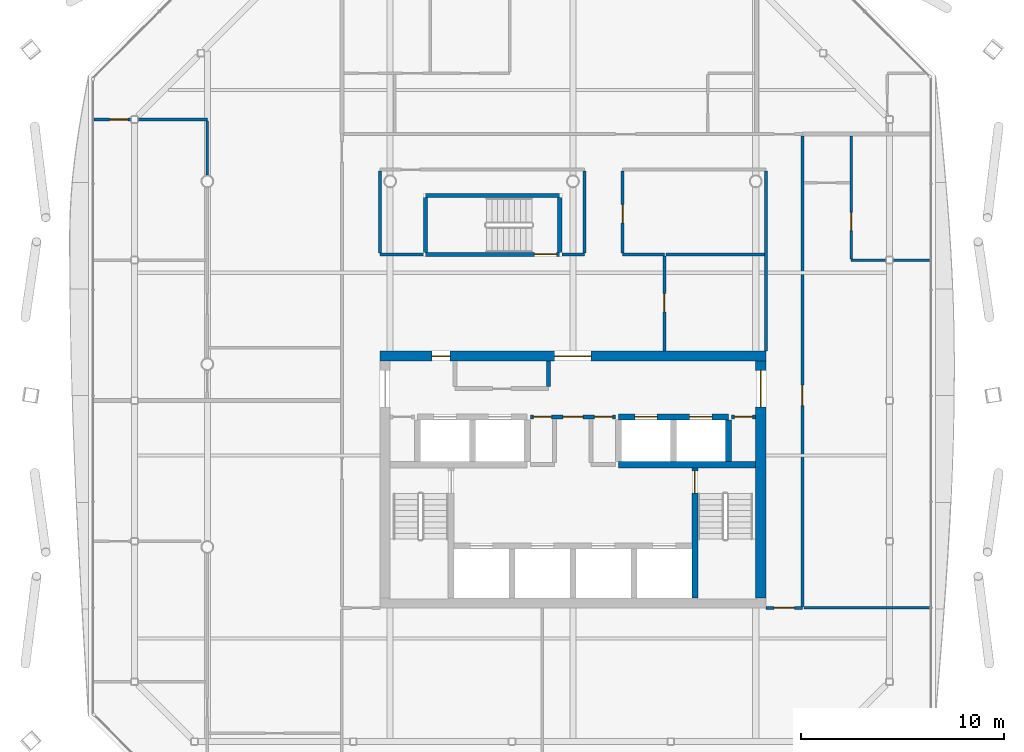
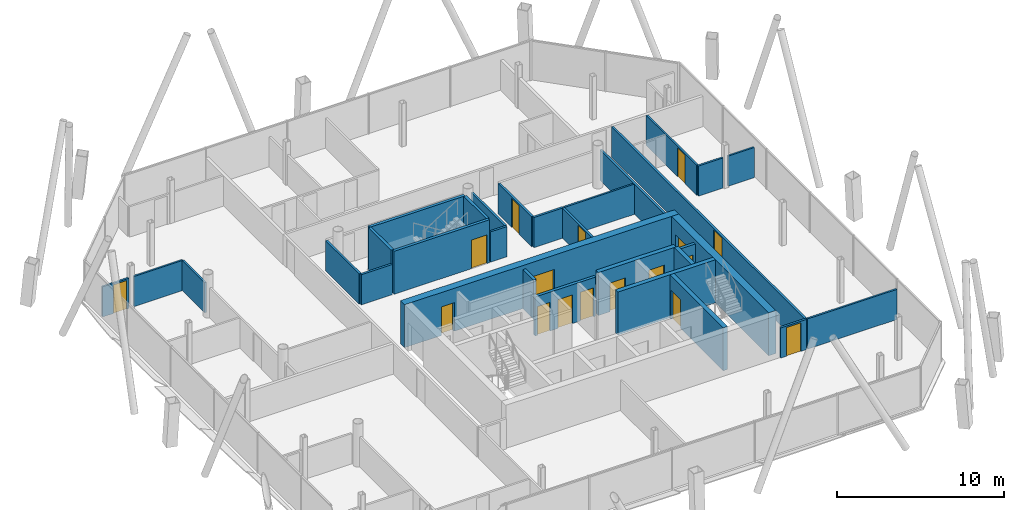
# One storey, part 15 of 20: 31 walls, 17 doors, 17 openings.
"""IFC4 building model written with IfcOpenShell, lengths in metres."""

from ifc_helpers import new_model, si_unit, direction, frame, frame_2d, origin, place, context, subcontext, project, spatial, rectangle, extrude, material, layer, layer_set, type_object, element, fill, save


model = new_model("IFC4")

# Units and contexts
model_context = context("Model", 3, precision=1e-05, world=origin(), true_north=direction((0.0, 1.0)))
body_context = subcontext(model_context, "Body", "Model", "MODEL_VIEW")
ifc_project = project(units=[si_unit("LENGTHUNIT", "METRE"), si_unit("AREAUNIT", "SQUARE_METRE"), si_unit("VOLUMEUNIT", "CUBIC_METRE"), si_unit("PLANEANGLEUNIT", "RADIAN"), si_unit("MASSUNIT", "GRAM", prefix="KILO")], contexts=[model_context])

# Site, building, storey
site_placement = place(None, origin())
site = spatial("IfcSite", under=ifc_project, at=site_placement, CompositionType="ELEMENT")
building_placement = place(site_placement, origin())
building = spatial("IfcBuilding", under=site, at=building_placement, Name="Tskaro Facet Tower", CompositionType="ELEMENT")
storey_placement = place(building_placement, frame((0.0, 0.0, 181.64990234375)))
storey = spatial("IfcBuildingStorey", under=building, at=storey_placement, Name="L45", CompositionType="ELEMENT", Elevation=181.64990234375)

# Wall
ifc_material_1 = material(Name="Concrete C60/75", Category="concrete")
ifc_layer_1 = layer(ifc_material_1, 0.300048828125, Name="Concrete C60/75")
ifc_layer_set_1 = layer_set([ifc_layer_1], Name="Concrete C60/75")
wall_type_1 = type_object("IfcWallType", Name="CORE-SHAFT", PredefinedType="SHEAR", material=ifc_layer_set_1)
wall_1_placement = place(storey_placement, frame((2.25, -4.949951171875, 0.0), z_axis=(0.0, 0.0, 1.0), x_axis=(1.0, 0.0, 0.0)))
element("IfcWall", 1, at=wall_1_placement, inside=storey, type_object=wall_type_1, Name="Shaft wall W013", PredefinedType="SHEAR", context=body_context, shape_type="SweptSolid", body=[
    extrude(rectangle(XDim=6.75, YDim=0.300048828125, at=frame_2d((3.375, 0.0))), origin(), (0.0, 0.0, 1.0), 3.150146484375),
])

# Wall, openings, doors
wall_2_placement = place(storey_placement, frame((2.25, -2.60009765625, 0.0), z_axis=(0.0, 0.0, 1.0), x_axis=(1.0, 0.0, 0.0)))
wall_2 = element("IfcWall", 2, at=wall_2_placement, inside=storey, type_object=wall_type_1, Name="Shaft wall W017", PredefinedType="SHEAR", context=body_context, shape_type="SweptSolid", body=[
    extrude(rectangle(XDim=5.39990234375, YDim=0.300048828125, at=frame_2d((2.699951171875, 0.0))), origin(), (0.0, 0.0, 1.0), 3.150146484375),
])
opening_1_placement = place(wall_2_placement, frame((0.800048828125, 0.0, 0.0)))
opening_1 = element("IfcOpeningElement", 3, at=opening_1_placement, cuts=wall_2, Name="Opening LD-HB3", PredefinedType="OPENING", context=body_context, shape_type="SweptSolid", body=[
    extrude(rectangle(XDim=1.10009765625, YDim=2.10009765625, at=frame_2d((0.550048828125, 1.050048828125))), frame((0.0, 0.159912109375, 0.0), z_axis=(0.0, -1.0, 0.0), x_axis=(1.0, 0.0, 0.0)), (0.0, 0.0, 1.0), 0.320068359375),
])
opening_2_placement = place(wall_2_placement, frame((3.5, 0.0, 0.0)))
opening_2 = element("IfcOpeningElement", 4, at=opening_2_placement, cuts=wall_2, Name="Opening LD-HB4", PredefinedType="OPENING", context=body_context, shape_type="SweptSolid", body=[
    extrude(rectangle(XDim=1.10009765625, YDim=2.10009765625, at=frame_2d((0.550048828125, 1.050048828125))), frame((0.0, 0.159912109375, 0.0), z_axis=(0.0, -1.0, 0.0), x_axis=(1.0, 0.0, 0.0)), (0.0, 0.0, 1.0), 0.320068359375),
])
ifc_material_2 = material(Name="Stainless steel", Category="steel")
door_type_1 = type_object("IfcDoorType", Name="D-LANDING", OperationType="NOTDEFINED", PredefinedType="DOOR", material=ifc_material_2)
door_1_placement = place(opening_1_placement, origin())
door_1 = element("IfcDoor", 5, at=door_1_placement, inside=storey, type_object=door_type_1, Name="Landing door HB3", OperationType="DOUBLE_DOOR_SLIDING", OverallHeight=2.10009765625, OverallWidth=1.10009765625, PredefinedType="DOOR", context=body_context, shape_type="SweptSolid", body=[
    extrude(rectangle(XDim=1.10009765625, YDim=2.10009765625, at=frame_2d((0.550048828125, 1.050048828125))), frame((0.0, 0.02490234375, 0.0), z_axis=(0.0, -1.0, 0.0), x_axis=(1.0, 0.0, 0.0)), (0.0, 0.0, 1.0), 0.050048828125),
])
fill(opening_1, door_1)
door_2_placement = place(opening_2_placement, origin())
door_2 = element("IfcDoor", 6, at=door_2_placement, inside=storey, type_object=door_type_1, Name="Landing door HB4", OperationType="DOUBLE_DOOR_SLIDING", OverallHeight=2.10009765625, OverallWidth=1.10009765625, PredefinedType="DOOR", context=body_context, shape_type="SweptSolid", body=[
    extrude(rectangle(XDim=1.10009765625, YDim=2.10009765625, at=frame_2d((0.550048828125, 1.050048828125))), frame((0.0, 0.02490234375, 0.0), z_axis=(0.0, -1.0, 0.0), x_axis=(1.0, 0.0, 0.0)), (0.0, 0.0, 1.0), 0.050048828125),
])
fill(opening_2, door_2)

# Wall, opening, door
wall_3_placement = place(storey_placement, frame((6.0, -5.10009765625, 0.0), z_axis=(0.0, 0.0, 1.0), x_axis=(0.0, -1.0, 0.0)))
wall_3 = element("IfcWall", 7, at=wall_3_placement, inside=storey, type_object=wall_type_1, Name="Shaft wall W077", PredefinedType="SHEAR", context=body_context, shape_type="SweptSolid", body=[
    extrude(rectangle(XDim=6.39990234375, YDim=0.300048828125, at=frame_2d((3.199951171875, 0.0))), origin(), (0.0, 0.0, 1.0), 3.150146484375),
])
opening_3_placement = place(wall_3_placement, frame((0.14990234375, 0.0, 0.0)))
opening_3 = element("IfcOpeningElement", 8, at=opening_3_placement, cuts=wall_3, Name="Opening ST-2-D1", PredefinedType="OPENING", context=body_context, shape_type="SweptSolid", body=[
    extrude(rectangle(XDim=1.10009765625, YDim=2.10009765625, at=frame_2d((0.550048828125, 1.050048828125))), frame((0.0, 0.159912109375, 0.0), z_axis=(0.0, -1.0, 0.0), x_axis=(1.0, 0.0, 0.0)), (0.0, 0.0, 1.0), 0.320068359375),
])
ifc_material_3 = material(Name="Steel", Category="steel")
door_type_2 = type_object("IfcDoorType", Name="D-STAIR", OperationType="NOTDEFINED", PredefinedType="DOOR", material=ifc_material_3)
door_3_placement = place(opening_3_placement, origin())
door_3 = element("IfcDoor", 9, at=door_3_placement, inside=storey, type_object=door_type_2, Name="Stair door 2", OperationType="SINGLE_SWING_RIGHT", OverallHeight=2.10009765625, OverallWidth=1.10009765625, PredefinedType="DOOR", context=body_context, shape_type="SweptSolid", body=[
    extrude(rectangle(XDim=1.10009765625, YDim=2.10009765625, at=frame_2d((0.550048828125, 1.050048828125))), frame((0.0, 0.02490234375, 0.0), z_axis=(0.0, -1.0, 0.0), x_axis=(1.0, 0.0, 0.0)), (0.0, 0.0, 1.0), 0.050048828125),
])
fill(opening_3, door_3)

# Wall
wall_4_placement = place(storey_placement, frame((7.64990234375, -4.800048828125, 0.0), z_axis=(0.0, 0.0, 1.0), x_axis=(0.0, 1.0, 0.0)))
element("IfcWall", 10, at=wall_4_placement, inside=storey, type_object=wall_type_1, Name="Shaft wall W079", PredefinedType="SHEAR", context=body_context, shape_type="SweptSolid", body=[
    extrude(rectangle(XDim=2.050048828125, YDim=0.300048828125, at=frame_2d((1.02490234375, 0.0))), origin(), (0.0, 0.0, 1.0), 3.150146484375),
])

# Wall, openings, doors
ifc_material_4 = material(Name="Concrete C20/25", Category="concrete")
ifc_layer_2 = layer(ifc_material_4, 0.199951171875, Name="Concrete C20/25")
ifc_layer_set_2 = layer_set([ifc_layer_2], Name="Concrete C20/25")
wall_type_2 = type_object("IfcWallType", Name="CORE-WALL", PredefinedType="SOLIDWALL", material=ifc_layer_set_2)
wall_5_placement = place(storey_placement, frame((2.10009765625, -2.60009765625, 0.0), z_axis=(0.0, 0.0, 1.0), x_axis=(-1.0, 0.0, 0.0)))
wall_5 = element("IfcWall", 11, at=wall_5_placement, inside=storey, type_object=wall_type_2, Name="Core room wall W016", PredefinedType="SOLIDWALL", context=body_context, shape_type="SweptSolid", body=[
    extrude(rectangle(XDim=4.2001953125, YDim=0.199951171875, at=frame_2d((2.10009765625, 0.0))), origin(), (0.0, 0.0, 1.0), 2.85009765625),
])
opening_4_placement = place(wall_5_placement, frame((1.60009765625, 0.0, 0.0)))
opening_4 = element("IfcOpeningElement", 12, at=opening_4_placement, cuts=wall_5, Name="Opening FL-D1", PredefinedType="OPENING", context=body_context, shape_type="SweptSolid", body=[
    extrude(rectangle(XDim=1.0, YDim=2.10009765625, at=frame_2d((0.5, 1.050048828125))), frame((0.0, 0.10986328125, 0.0), z_axis=(0.0, -1.0, 0.0), x_axis=(1.0, 0.0, 0.0)), (0.0, 0.0, 1.0), 0.219970703125),
])
opening_5_placement = place(wall_5_placement, frame((3.14990234375, 0.0, 0.0)))
opening_5 = element("IfcOpeningElement", 13, at=opening_5_placement, cuts=wall_5, Name="Opening T13-D08", PredefinedType="OPENING", context=body_context, shape_type="SweptSolid", body=[
    extrude(rectangle(XDim=0.89990234375, YDim=2.10009765625, at=frame_2d((0.449951171875, 1.050048828125))), frame((0.0, 0.10986328125, 0.0), z_axis=(0.0, -1.0, 0.0), x_axis=(1.0, 0.0, 0.0)), (0.0, 0.0, 1.0), 0.219970703125),
])
opening_6_placement = place(wall_5_placement, frame((0.14990234375, 0.0, 0.0)))
opening_6 = element("IfcOpeningElement", 14, at=opening_6_placement, cuts=wall_5, Name="Opening T13-D09", PredefinedType="OPENING", context=body_context, shape_type="SweptSolid", body=[
    extrude(rectangle(XDim=0.89990234375, YDim=2.10009765625, at=frame_2d((0.449951171875, 1.050048828125))), frame((0.0, 0.10986328125, 0.0), z_axis=(0.0, -1.0, 0.0), x_axis=(1.0, 0.0, 0.0)), (0.0, 0.0, 1.0), 0.219970703125),
])
door_type_3 = type_object("IfcDoorType", Name="D-LOBBY", OperationType="NOTDEFINED", PredefinedType="DOOR", material=ifc_material_3)
door_4_placement = place(opening_4_placement, origin())
door_4 = element("IfcDoor", 15, at=door_4_placement, inside=storey, type_object=door_type_3, Name="Lobby door FL", OperationType="SINGLE_SWING_RIGHT", OverallHeight=2.10009765625, OverallWidth=1.0, PredefinedType="DOOR", context=body_context, shape_type="SweptSolid", body=[
    extrude(rectangle(XDim=1.0, YDim=2.10009765625, at=frame_2d((0.5, 1.050048828125))), frame((0.0, 0.02490234375, 0.0), z_axis=(0.0, -1.0, 0.0), x_axis=(1.0, 0.0, 0.0)), (0.0, 0.0, 1.0), 0.050048828125),
])
fill(opening_4, door_4)
ifc_material_5 = material(Name="Timber", Category="wood")
door_type_4 = type_object("IfcDoorType", Name="D-ROOM", OperationType="NOTDEFINED", PredefinedType="DOOR", material=ifc_material_5)
door_5_placement = place(opening_5_placement, origin())
door_5 = element("IfcDoor", 16, at=door_5_placement, inside=storey, type_object=door_type_4, Name="Door T13-D08", OperationType="SINGLE_SWING_RIGHT", OverallHeight=2.10009765625, OverallWidth=0.89990234375, PredefinedType="DOOR", context=body_context, shape_type="SweptSolid", body=[
    extrude(rectangle(XDim=0.89990234375, YDim=2.10009765625, at=frame_2d((0.449951171875, 1.050048828125))), frame((0.0, 0.02490234375, 0.0), z_axis=(0.0, -1.0, 0.0), x_axis=(1.0, 0.0, 0.0)), (0.0, 0.0, 1.0), 0.050048828125),
])
fill(opening_5, door_5)
door_6_placement = place(opening_6_placement, origin())
door_6 = element("IfcDoor", 17, at=door_6_placement, inside=storey, type_object=door_type_4, Name="Door T13-D09", OperationType="SINGLE_SWING_RIGHT", OverallHeight=2.10009765625, OverallWidth=0.89990234375, PredefinedType="DOOR", context=body_context, shape_type="SweptSolid", body=[
    extrude(rectangle(XDim=0.89990234375, YDim=2.10009765625, at=frame_2d((0.449951171875, 1.050048828125))), frame((0.0, 0.02490234375, 0.0), z_axis=(0.0, -1.0, 0.0), x_axis=(1.0, 0.0, 0.0)), (0.0, 0.0, 1.0), 0.050048828125),
])
fill(opening_6, door_6)

# Wall, opening, door
wall_6_placement = place(storey_placement, frame((9.0, -2.60009765625, 0.0), z_axis=(0.0, 0.0, 1.0), x_axis=(-1.0, 0.0, 0.0)))
wall_6 = element("IfcWall", 18, at=wall_6_placement, inside=storey, type_object=wall_type_2, Name="Core room wall W018", PredefinedType="SOLIDWALL", context=body_context, shape_type="SweptSolid", body=[
    extrude(rectangle(XDim=1.199951171875, YDim=0.199951171875, at=frame_2d((0.60009765625, 0.0))), origin(), (0.0, 0.0, 1.0), 2.85009765625),
])
opening_7_placement = place(wall_6_placement, frame((0.14990234375, 0.0, 0.0)))
opening_7 = element("IfcOpeningElement", 19, at=opening_7_placement, cuts=wall_6, Name="Opening T13-D10", PredefinedType="OPENING", context=body_context, shape_type="SweptSolid", body=[
    extrude(rectangle(XDim=0.89990234375, YDim=2.10009765625, at=frame_2d((0.449951171875, 1.050048828125))), frame((0.0, 0.10986328125, 0.0), z_axis=(0.0, -1.0, 0.0), x_axis=(1.0, 0.0, 0.0)), (0.0, 0.0, 1.0), 0.219970703125),
])
door_7_placement = place(opening_7_placement, origin())
door_7 = element("IfcDoor", 20, at=door_7_placement, inside=storey, type_object=door_type_4, Name="Door T13-D10", OperationType="SINGLE_SWING_RIGHT", OverallHeight=2.10009765625, OverallWidth=0.89990234375, PredefinedType="DOOR", context=body_context, shape_type="SweptSolid", body=[
    extrude(rectangle(XDim=0.89990234375, YDim=2.10009765625, at=frame_2d((0.449951171875, 1.050048828125))), frame((0.0, 0.02490234375, 0.0), z_axis=(0.0, -1.0, 0.0), x_axis=(1.0, 0.0, 0.0)), (0.0, 0.0, 1.0), 0.050048828125),
])
fill(opening_7, door_7)

# Wall
wall_7_placement = place(storey_placement, frame((-1.199951171875, -1.10009765625, 0.0), z_axis=(0.0, 0.0, 1.0), x_axis=(0.0, 1.0, 0.0)))
element("IfcWall", 21, at=wall_7_placement, inside=storey, type_object=wall_type_2, Name="Core room wall W066", PredefinedType="SOLIDWALL", context=body_context, shape_type="SweptSolid", body=[
    extrude(rectangle(XDim=1.25, YDim=0.199951171875, at=frame_2d((0.625, 0.0))), origin(), (0.0, 0.0, 1.0), 2.85009765625),
])

# Wall, openings, doors
ifc_material_6 = material(Name="Concrete C40/50", Category="concrete")
ifc_layer_3 = layer(ifc_material_6, 0.5, Name="Concrete C40/50")
ifc_layer_set_3 = layer_set([ifc_layer_3], Name="Concrete C40/50")
wall_type_3 = type_object("IfcWallType", Name="Core wall 500", PredefinedType="SHEAR", material=ifc_layer_set_3)
wall_8_placement = place(storey_placement, frame((-9.5, 0.39990234375, 0.0), z_axis=(0.0, 0.0, 1.0), x_axis=(1.0, 0.0, 0.0)))
wall_8 = element("IfcWall", 22, at=wall_8_placement, inside=storey, type_object=wall_type_3, Name="Core wall CW-Z3N", PredefinedType="SHEAR", context=body_context, shape_type="SweptSolid", body=[
    extrude(rectangle(XDim=19.0, YDim=0.5, at=frame_2d((9.5, 0.0))), origin(), (0.0, 0.0, 1.0), 3.150146484375),
])
opening_8_placement = place(wall_8_placement, frame((8.60009765625, 0.0, 0.0)))
opening_8 = element("IfcOpeningElement", 23, at=opening_8_placement, cuts=wall_8, Name="Opening T13-D17", PredefinedType="OPENING", context=body_context, shape_type="SweptSolid", body=[
    extrude(rectangle(XDim=1.800048828125, YDim=2.10009765625, at=frame_2d((0.89990234375, 1.050048828125))), frame((0.0, 0.260009765625, 0.0), z_axis=(0.0, -1.0, 0.0), x_axis=(1.0, 0.0, 0.0)), (0.0, 0.0, 1.0), 0.52001953125),
])
opening_9_placement = place(wall_8_placement, frame((2.550048828125, 0.0, 0.0)))
opening_9 = element("IfcOpeningElement", 24, at=opening_9_placement, cuts=wall_8, Name="Opening T13-D16", PredefinedType="OPENING", context=body_context, shape_type="SweptSolid", body=[
    extrude(rectangle(XDim=0.89990234375, YDim=2.10009765625, at=frame_2d((0.449951171875, 1.050048828125))), frame((0.0, 0.260009765625, 0.0), z_axis=(0.0, -1.0, 0.0), x_axis=(1.0, 0.0, 0.0)), (0.0, 0.0, 1.0), 0.52001953125),
])
door_type_5 = type_object("IfcDoorType", Name="D-CORE-PAIR", OperationType="NOTDEFINED", PredefinedType="DOOR", material=ifc_material_3)
door_8_placement = place(opening_8_placement, origin())
door_8 = element("IfcDoor", 25, at=door_8_placement, inside=storey, type_object=door_type_5, Name="Door T13-D17", OperationType="DOUBLE_DOOR_SINGLE_SWING", OverallHeight=2.10009765625, OverallWidth=1.800048828125, PredefinedType="DOOR", context=body_context, shape_type="SweptSolid", body=[
    extrude(rectangle(XDim=1.800048828125, YDim=2.10009765625, at=frame_2d((0.89990234375, 1.050048828125))), frame((0.0, 0.02490234375, 0.0), z_axis=(0.0, -1.0, 0.0), x_axis=(1.0, 0.0, 0.0)), (0.0, 0.0, 1.0), 0.050048828125),
])
fill(opening_8, door_8)
door_9_placement = place(opening_9_placement, origin())
door_9 = element("IfcDoor", 26, at=door_9_placement, inside=storey, type_object=door_type_4, Name="Door T13-D16", OperationType="SINGLE_SWING_LEFT", OverallHeight=2.10009765625, OverallWidth=0.89990234375, PredefinedType="DOOR", context=body_context, shape_type="SweptSolid", body=[
    extrude(rectangle(XDim=0.89990234375, YDim=2.10009765625, at=frame_2d((0.449951171875, 1.050048828125))), frame((0.0, 0.02490234375, 0.0), z_axis=(0.0, -1.0, 0.0), x_axis=(1.0, 0.0, 0.0)), (0.0, 0.0, 1.0), 0.050048828125),
])
fill(opening_9, door_9)

# Wall, opening, door
wall_9_placement = place(storey_placement, frame((9.25, -11.5, 0.0), z_axis=(0.0, 0.0, 1.0), x_axis=(0.0, 1.0, 0.0)))
wall_9 = element("IfcWall", 27, at=wall_9_placement, inside=storey, type_object=wall_type_3, Name="Core wall CW-Z3E", PredefinedType="SHEAR", context=body_context, shape_type="SweptSolid", body=[
    extrude(rectangle(XDim=11.64990234375, YDim=0.5, at=frame_2d((5.824951171875, 0.0))), origin(), (0.0, 0.0, 1.0), 3.150146484375),
])
opening_10_placement = place(wall_9_placement, frame((9.39990234375, 0.0, 0.0)))
opening_10 = element("IfcOpeningElement", 28, at=opening_10_placement, cuts=wall_9, Name="Opening T13-D14", PredefinedType="OPENING", context=body_context, shape_type="SweptSolid", body=[
    extrude(rectangle(XDim=1.800048828125, YDim=2.10009765625, at=frame_2d((0.89990234375, 1.050048828125))), frame((0.0, 0.260009765625, 0.0), z_axis=(0.0, -1.0, 0.0), x_axis=(1.0, 0.0, 0.0)), (0.0, 0.0, 1.0), 0.52001953125),
])
door_10_placement = place(opening_10_placement, origin())
door_10 = element("IfcDoor", 29, at=door_10_placement, inside=storey, type_object=door_type_5, Name="Door T13-D14", OperationType="DOUBLE_DOOR_SINGLE_SWING", OverallHeight=2.10009765625, OverallWidth=1.800048828125, PredefinedType="DOOR", context=body_context, shape_type="SweptSolid", body=[
    extrude(rectangle(XDim=1.800048828125, YDim=2.10009765625, at=frame_2d((0.89990234375, 1.050048828125))), frame((0.0, 0.02490234375, 0.0), z_axis=(0.0, -1.0, 0.0), x_axis=(1.0, 0.0, 0.0)), (0.0, 0.0, 1.0), 0.050048828125),
])
fill(opening_10, door_10)

# Walls
ifc_material_7 = material(Name="Gypsum board on steel studs", Category="steel")
ifc_layer_4 = layer(ifc_material_7, 0.125, Name="Gypsum board on steel studs")
ifc_layer_set_4 = layer_set([ifc_layer_4], Name="Gypsum board on steel studs")
wall_type_4 = type_object("IfcWallType", Name="PART", PredefinedType="PARTITIONING", material=ifc_layer_set_4)
wall_10_placement = place(storey_placement, frame((11.375, -12.0, 0.0), z_axis=(0.0, 0.0, 1.0), x_axis=(1.0, 0.0, 0.0)))
element("IfcWall", 30, at=wall_10_placement, inside=storey, type_object=wall_type_4, Name="Partition W006", PredefinedType="PARTITIONING", context=body_context, shape_type="SweptSolid", body=[
    extrude(rectangle(XDim=6.202880859375, YDim=0.125, at=frame_2d((3.1015625, 0.0))), origin(), (0.0, 0.0, 1.0), 2.210205078125),
])
wall_11_placement = place(storey_placement, frame((13.699951171875, 5.125, 0.0), z_axis=(0.0, 0.0, 1.0), x_axis=(1.0, 0.0, 0.0)))
element("IfcWall", 31, at=wall_11_placement, inside=storey, type_object=wall_type_4, Name="Partition W025", PredefinedType="PARTITIONING", context=body_context, shape_type="SweptSolid", body=[
    extrude(rectangle(XDim=1.7080078125, YDim=0.125, at=frame_2d((0.85400390625, 0.0))), origin(), (0.0, 0.0, 1.0), 2.210205078125),
])
wall_12_placement = place(storey_placement, frame((15.758056640625, 5.125, 0.0), z_axis=(0.0, 0.0, 1.0), x_axis=(1.0, 0.0, 0.0)))
element("IfcWall", 32, at=wall_12_placement, inside=storey, type_object=wall_type_4, Name="Partition W026", PredefinedType="PARTITIONING", context=body_context, shape_type="SweptSolid", body=[
    extrude(rectangle(XDim=1.81982421875, YDim=0.125, at=frame_2d((0.909912109375, 0.0))), origin(), (0.0, 0.0, 1.0), 2.210205078125),
])
wall_13_placement = place(storey_placement, frame((4.574951171875, 5.39990234375, 0.0), z_axis=(0.0, 0.0, 1.0), x_axis=(1.0, 0.0, 0.0)))
element("IfcWall", 33, at=wall_13_placement, inside=storey, type_object=wall_type_4, Name="Partition W031", PredefinedType="PARTITIONING", context=body_context, shape_type="SweptSolid", body=[
    extrude(rectangle(XDim=4.85009765625, YDim=0.125, at=frame_2d((2.425048828125, 0.0))), origin(), (0.0, 0.0, 1.0), 2.210205078125),
])

# Wall, opening, door
wall_14_placement = place(storey_placement, frame((-21.758056640625, 12.044921875, 0.0), z_axis=(0.0, 0.0, 1.0), x_axis=(-1.0, 0.0, 0.0)))
wall_14 = element("IfcWall", 34, at=wall_14_placement, inside=storey, type_object=wall_type_4, Name="Partition W038", PredefinedType="PARTITIONING", context=body_context, shape_type="SweptSolid", body=[
    extrude(rectangle(XDim=1.81982421875, YDim=0.125, at=frame_2d((0.909912109375, 0.0))), origin(), (0.0, 0.0, 1.0), 2.210205078125),
])
opening_11_placement = place(wall_14_placement, frame((0.14990234375, 0.0, 0.0)))
opening_11 = element("IfcOpeningElement", 35, at=opening_11_placement, cuts=wall_14, Name="Opening T13-D27", PredefinedType="OPENING", context=body_context, shape_type="SweptSolid", body=[
    extrude(rectangle(XDim=0.89990234375, YDim=2.10009765625, at=frame_2d((0.449951171875, 1.050048828125))), frame((0.0, 0.072509765625, 0.0), z_axis=(0.0, -1.0, 0.0), x_axis=(1.0, 0.0, 0.0)), (0.0, 0.0, 1.0), 0.14501953125),
])
door_11_placement = place(opening_11_placement, origin())
door_11 = element("IfcDoor", 36, at=door_11_placement, inside=storey, type_object=door_type_4, Name="Door T13-D27", OperationType="SINGLE_SWING_RIGHT", OverallHeight=2.10009765625, OverallWidth=0.89990234375, PredefinedType="DOOR", context=body_context, shape_type="SweptSolid", body=[
    extrude(rectangle(XDim=0.89990234375, YDim=2.10009765625, at=frame_2d((0.449951171875, 1.050048828125))), frame((0.0, 0.02490234375, 0.0), z_axis=(0.0, -1.0, 0.0), x_axis=(1.0, 0.0, 0.0)), (0.0, 0.0, 1.0), 0.050048828125),
])
fill(opening_11, door_11)

# Walls
wall_15_placement = place(storey_placement, frame((-21.407958984375, 12.044921875, 0.0), z_axis=(0.0, 0.0, 1.0), x_axis=(1.0, 0.0, 0.0)))
element("IfcWall", 37, at=wall_15_placement, inside=storey, type_object=wall_type_4, Name="Partition W039", PredefinedType="PARTITIONING", context=body_context, shape_type="SweptSolid", body=[
    extrude(rectangle(XDim=3.407958984375, YDim=0.125, at=frame_2d((1.7041015625, 0.0))), origin(), (0.0, 0.0, 1.0), 2.210205078125),
])
wall_16_placement = place(storey_placement, frame((-18.0, 9.304931640625, 0.0), z_axis=(0.0, 0.0, 1.0), x_axis=(0.0, 1.0, 0.0)))
element("IfcWall", 38, at=wall_16_placement, inside=storey, type_object=wall_type_4, Name="Partition W048", PredefinedType="PARTITIONING", context=body_context, shape_type="SweptSolid", body=[
    extrude(rectangle(XDim=2.677490234375, YDim=0.125, at=frame_2d((1.3388671875, 0.0))), origin(), (0.0, 0.0, 1.0), 2.210205078125),
])

# Wall, opening, door
wall_17_placement = place(storey_placement, frame((13.699951171875, 11.22509765625, 0.0), z_axis=(0.0, 0.0, 1.0), x_axis=(0.0, -1.0, 0.0)))
wall_17 = element("IfcWall", 39, at=wall_17_placement, inside=storey, type_object=wall_type_4, Name="Partition W084", PredefinedType="PARTITIONING", context=body_context, shape_type="SweptSolid", body=[
    extrude(rectangle(XDim=6.03759765625, YDim=0.125, at=frame_2d((3.018798828125, 0.0))), origin(), (0.0, 0.0, 1.0), 2.210205078125),
])
opening_12_placement = place(wall_17_placement, frame((3.75, 0.0, 0.0)))
opening_12 = element("IfcOpeningElement", 40, at=opening_12_placement, cuts=wall_17, Name="Opening T13-D20", PredefinedType="OPENING", context=body_context, shape_type="SweptSolid", body=[
    extrude(rectangle(XDim=0.89990234375, YDim=2.10009765625, at=frame_2d((0.449951171875, 1.050048828125))), frame((0.0, 0.072509765625, 0.0), z_axis=(0.0, -1.0, 0.0), x_axis=(1.0, 0.0, 0.0)), (0.0, 0.0, 1.0), 0.14501953125),
])
door_12_placement = place(opening_12_placement, origin())
door_12 = element("IfcDoor", 41, at=door_12_placement, inside=storey, type_object=door_type_4, Name="Door T13-D20", OperationType="SINGLE_SWING_RIGHT", OverallHeight=2.10009765625, OverallWidth=0.89990234375, PredefinedType="DOOR", context=body_context, shape_type="SweptSolid", body=[
    extrude(rectangle(XDim=0.89990234375, YDim=2.10009765625, at=frame_2d((0.449951171875, 1.050048828125))), frame((0.0, 0.02490234375, 0.0), z_axis=(0.0, -1.0, 0.0), x_axis=(1.0, 0.0, 0.0)), (0.0, 0.0, 1.0), 0.050048828125),
])
fill(opening_12, door_12)

ifc_layer_5 = layer(ifc_material_7, 0.14990234375, Name="Gypsum board on steel studs")
ifc_layer_set_5 = layer_set([ifc_layer_5], Name="Gypsum board on steel studs")
wall_type_5 = type_object("IfcWallType", Name="PART-CORR", PredefinedType="PARTITIONING", material=ifc_layer_set_5)
wall_18_placement = place(storey_placement, frame((11.300048828125, -12.0, 0.0), z_axis=(0.0, 0.0, 1.0), x_axis=(-1.0, 0.0, 0.0)))
wall_18 = element("IfcWall", 42, at=wall_18_placement, inside=storey, type_object=wall_type_5, Name="Corridor wall W005", PredefinedType="PARTITIONING", context=body_context, shape_type="SweptSolid", body=[
    extrude(rectangle(XDim=1.800048828125, YDim=0.14990234375, at=frame_2d((0.89990234375, 0.0))), origin(), (0.0, 0.0, 1.0), 2.210205078125),
])
opening_13_placement = place(wall_18_placement, frame((0.39990234375, 0.0, 0.0)))
opening_13 = element("IfcOpeningElement", 43, at=opening_13_placement, cuts=wall_18, Name="Opening T13-D04", PredefinedType="OPENING", context=body_context, shape_type="SweptSolid", body=[
    extrude(rectangle(XDim=1.0, YDim=2.10009765625, at=frame_2d((0.5, 1.050048828125))), frame((0.0, 0.0849609375, 0.0), z_axis=(0.0, -1.0, 0.0), x_axis=(1.0, 0.0, 0.0)), (0.0, 0.0, 1.0), 0.169921875),
])
door_type_6 = type_object("IfcDoorType", Name="D-ROOM-WIDE", OperationType="NOTDEFINED", PredefinedType="DOOR", material=ifc_material_5)
door_13_placement = place(opening_13_placement, origin())
door_13 = element("IfcDoor", 44, at=door_13_placement, inside=storey, type_object=door_type_6, Name="Door T13-D04", OperationType="SINGLE_SWING_RIGHT", OverallHeight=2.10009765625, OverallWidth=1.0, PredefinedType="DOOR", context=body_context, shape_type="SweptSolid", body=[
    extrude(rectangle(XDim=1.0, YDim=2.10009765625, at=frame_2d((0.5, 1.050048828125))), frame((0.0, 0.02490234375, 0.0), z_axis=(0.0, -1.0, 0.0), x_axis=(1.0, 0.0, 0.0)), (0.0, 0.0, 1.0), 0.050048828125),
])
fill(opening_13, door_13)

# Walls
wall_19_placement = place(storey_placement, frame((-9.5, 5.39990234375, 0.0), z_axis=(0.0, 0.0, 1.0), x_axis=(1.0, 0.0, 0.0)))
element("IfcWall", 45, at=wall_19_placement, inside=storey, type_object=wall_type_5, Name="Corridor wall W027", PredefinedType="PARTITIONING", context=body_context, shape_type="SweptSolid", body=[
    extrude(rectangle(XDim=2.14990234375, YDim=0.14990234375, at=frame_2d((1.074951171875, 0.0))), origin(), (0.0, 0.0, 1.0), 2.210205078125),
])
wall_20_placement = place(storey_placement, frame((-0.550048828125, 5.39990234375, 0.0), z_axis=(0.0, 0.0, 1.0), x_axis=(1.0, 0.0, 0.0)))
element("IfcWall", 46, at=wall_20_placement, inside=storey, type_object=wall_type_5, Name="Corridor wall W029", PredefinedType="PARTITIONING", context=body_context, shape_type="SweptSolid", body=[
    extrude(rectangle(XDim=1.125, YDim=0.14990234375, at=frame_2d((0.5625, 0.0))), origin(), (0.0, 0.0, 1.0), 2.210205078125),
])
wall_21_placement = place(storey_placement, frame((2.449951171875, 5.39990234375, 0.0), z_axis=(0.0, 0.0, 1.0), x_axis=(1.0, 0.0, 0.0)))
element("IfcWall", 47, at=wall_21_placement, inside=storey, type_object=wall_type_5, Name="Corridor wall W030", PredefinedType="PARTITIONING", context=body_context, shape_type="SweptSolid", body=[
    extrude(rectangle(XDim=2.050048828125, YDim=0.14990234375, at=frame_2d((1.02490234375, 0.0))), origin(), (0.0, 0.0, 1.0), 2.210205078125),
])
for number, where, z_axis, x_axis, name in (
    (48, (-9.5, 5.47509765625, 0.0), (0.0, 0.0, 1.0), (0.0, 1.0, 0.0), "Corridor wall W053"),
    (49, (0.574951171875, 5.47509765625, 0.0), (0.0, 0.0, 1.0), (0.0, 1.0, 0.0), "Corridor wall W070"),
):
    element("IfcWall", number, at=place(storey_placement, frame(where, z_axis=z_axis, x_axis=x_axis)), inside=storey, type_object=wall_type_5, Name=name, PredefinedType="PARTITIONING", context=body_context, shape_type="SweptSolid", body=[
        extrude(rectangle(XDim=4.02490234375, YDim=0.14990234375, at=frame_2d((2.012451171875, 0.0))), origin(), (0.0, 0.0, 1.0), 2.210205078125),
    ])

# Wall, opening, door
wall_22_placement = place(storey_placement, frame((2.449951171875, 9.5, 0.0), z_axis=(0.0, 0.0, 1.0), x_axis=(0.0, -1.0, 0.0)))
wall_22 = element("IfcWall", 50, at=wall_22_placement, inside=storey, type_object=wall_type_5, Name="Corridor wall W073", PredefinedType="PARTITIONING", context=body_context, shape_type="SweptSolid", body=[
    extrude(rectangle(XDim=4.02490234375, YDim=0.14990234375, at=frame_2d((2.012451171875, 0.0))), origin(), (0.0, 0.0, 1.0), 2.210205078125),
])
opening_14_placement = place(wall_22_placement, frame((1.64990234375, 0.0, 0.0)))
opening_14 = element("IfcOpeningElement", 51, at=opening_14_placement, cuts=wall_22, Name="Opening T13-D21", PredefinedType="OPENING", context=body_context, shape_type="SweptSolid", body=[
    extrude(rectangle(XDim=0.89990234375, YDim=2.10009765625, at=frame_2d((0.449951171875, 1.050048828125))), frame((0.0, 0.0849609375, 0.0), z_axis=(0.0, -1.0, 0.0), x_axis=(1.0, 0.0, 0.0)), (0.0, 0.0, 1.0), 0.169921875),
])
door_14_placement = place(opening_14_placement, origin())
door_14 = element("IfcDoor", 52, at=door_14_placement, inside=storey, type_object=door_type_4, Name="Door T13-D21", OperationType="SINGLE_SWING_RIGHT", OverallHeight=2.10009765625, OverallWidth=0.89990234375, PredefinedType="DOOR", context=body_context, shape_type="SweptSolid", body=[
    extrude(rectangle(XDim=0.89990234375, YDim=2.10009765625, at=frame_2d((0.449951171875, 1.050048828125))), frame((0.0, 0.02490234375, 0.0), z_axis=(0.0, -1.0, 0.0), x_axis=(1.0, 0.0, 0.0)), (0.0, 0.0, 1.0), 0.050048828125),
])
fill(opening_14, door_14)

wall_23_placement = place(storey_placement, frame((4.5, 5.324951171875, 0.0), z_axis=(0.0, 0.0, 1.0), x_axis=(0.0, -1.0, 0.0)))
wall_23 = element("IfcWall", 53, at=wall_23_placement, inside=storey, type_object=wall_type_5, Name="Corridor wall W075", PredefinedType="PARTITIONING", context=body_context, shape_type="SweptSolid", body=[
    extrude(rectangle(XDim=4.675048828125, YDim=0.14990234375, at=frame_2d((2.33740234375, 0.0))), origin(), (0.0, 0.0, 1.0), 2.210205078125),
])
opening_15_placement = place(wall_23_placement, frame((1.85009765625, 0.0, 0.0)))
opening_15 = element("IfcOpeningElement", 54, at=opening_15_placement, cuts=wall_23, Name="Opening T13-D19", PredefinedType="OPENING", context=body_context, shape_type="SweptSolid", body=[
    extrude(rectangle(XDim=0.89990234375, YDim=2.10009765625, at=frame_2d((0.449951171875, 1.050048828125))), frame((0.0, 0.0849609375, 0.0), z_axis=(0.0, -1.0, 0.0), x_axis=(1.0, 0.0, 0.0)), (0.0, 0.0, 1.0), 0.169921875),
])
door_15_placement = place(opening_15_placement, origin())
door_15 = element("IfcDoor", 55, at=door_15_placement, inside=storey, type_object=door_type_4, Name="Door T13-D19", OperationType="SINGLE_SWING_RIGHT", OverallHeight=2.10009765625, OverallWidth=0.89990234375, PredefinedType="DOOR", context=body_context, shape_type="SweptSolid", body=[
    extrude(rectangle(XDim=0.89990234375, YDim=2.10009765625, at=frame_2d((0.449951171875, 1.050048828125))), frame((0.0, 0.02490234375, 0.0), z_axis=(0.0, -1.0, 0.0), x_axis=(1.0, 0.0, 0.0)), (0.0, 0.0, 1.0), 0.050048828125),
])
fill(opening_15, door_15)

# Wall
wall_24_placement = place(storey_placement, frame((9.5, 0.64990234375, 0.0), z_axis=(0.0, 0.0, 1.0), x_axis=(0.0, 1.0, 0.0)))
element("IfcWall", 56, at=wall_24_placement, inside=storey, type_object=wall_type_5, Name="Corridor wall W082", PredefinedType="PARTITIONING", context=body_context, shape_type="SweptSolid", body=[
    extrude(rectangle(XDim=8.85009765625, YDim=0.14990234375, at=frame_2d((4.425048828125, 0.0))), origin(), (0.0, 0.0, 1.0), 2.210205078125),
])

# Wall, opening, door
wall_25_placement = place(storey_placement, frame((11.300048828125, 11.22509765625, 0.0), z_axis=(0.0, 0.0, 1.0), x_axis=(0.0, -1.0, 0.0)))
wall_25 = element("IfcWall", 57, at=wall_25_placement, inside=storey, type_object=wall_type_5, Name="Corridor wall W083", PredefinedType="PARTITIONING", context=body_context, shape_type="SweptSolid", body=[
    extrude(rectangle(XDim=23.150146484375, YDim=0.14990234375, at=frame_2d((11.5751953125, 0.0))), origin(), (0.0, 0.0, 1.0), 2.210205078125),
])
opening_16_placement = place(wall_25_placement, frame((12.262451171875, 0.0, 0.0)))
opening_16 = element("IfcOpeningElement", 58, at=opening_16_placement, cuts=wall_25, Name="Opening T13-D11", PredefinedType="OPENING", context=body_context, shape_type="SweptSolid", body=[
    extrude(rectangle(XDim=1.0, YDim=2.10009765625, at=frame_2d((0.5, 1.050048828125))), frame((0.0, 0.0849609375, 0.0), z_axis=(0.0, -1.0, 0.0), x_axis=(1.0, 0.0, 0.0)), (0.0, 0.0, 1.0), 0.169921875),
])
door_type_7 = type_object("IfcDoorType", Name="D-FLAT-ENTRY", OperationType="NOTDEFINED", PredefinedType="DOOR", material=ifc_material_5)
door_16_placement = place(opening_16_placement, origin())
door_16 = element("IfcDoor", 59, at=door_16_placement, inside=storey, type_object=door_type_7, Name="Door T13-D11", OperationType="SINGLE_SWING_RIGHT", OverallHeight=2.10009765625, OverallWidth=1.0, PredefinedType="DOOR", context=body_context, shape_type="SweptSolid", body=[
    extrude(rectangle(XDim=1.0, YDim=2.10009765625, at=frame_2d((0.5, 1.050048828125))), frame((0.0, 0.02490234375, 0.0), z_axis=(0.0, -1.0, 0.0), x_axis=(1.0, 0.0, 0.0)), (0.0, 0.0, 1.0), 0.050048828125),
])
fill(opening_16, door_16)

ifc_layer_6 = layer(ifc_material_1, 0.199951171875, Name="Concrete C60/75")
ifc_layer_set_6 = layer_set([ifc_layer_6], Name="Concrete C60/75")
wall_type_6 = type_object("IfcWallType", Name="STAIR-WALL", PredefinedType="SHEAR", material=ifc_layer_set_6)
wall_26_placement = place(storey_placement, frame((-7.25, 5.39990234375, 0.0), z_axis=(0.0, 0.0, 1.0), x_axis=(1.0, 0.0, 0.0)))
wall_26 = element("IfcWall", 60, at=wall_26_placement, inside=storey, type_object=wall_type_6, Name="Stair wall W028", PredefinedType="SHEAR", context=body_context, shape_type="SweptSolid", body=[
    extrude(rectangle(XDim=6.60009765625, YDim=0.199951171875, at=frame_2d((3.300048828125, 0.0))), origin(), (0.0, 0.0, 1.0), 3.150146484375),
])
opening_17_placement = place(wall_26_placement, frame((5.35009765625, 0.0, 0.0)))
opening_17 = element("IfcOpeningElement", 61, at=opening_17_placement, cuts=wall_26, Name="Opening ST-3-D1", PredefinedType="OPENING", context=body_context, shape_type="SweptSolid", body=[
    extrude(rectangle(XDim=1.10009765625, YDim=2.10009765625, at=frame_2d((0.550048828125, 1.050048828125))), frame((0.0, 0.10986328125, 0.0), z_axis=(0.0, -1.0, 0.0), x_axis=(1.0, 0.0, 0.0)), (0.0, 0.0, 1.0), 0.219970703125),
])
door_17_placement = place(opening_17_placement, origin())
door_17 = element("IfcDoor", 62, at=door_17_placement, inside=storey, type_object=door_type_2, Name="Stair door 3", OperationType="SINGLE_SWING_LEFT", OverallHeight=2.10009765625, OverallWidth=1.10009765625, PredefinedType="DOOR", context=body_context, shape_type="SweptSolid", body=[
    extrude(rectangle(XDim=1.10009765625, YDim=2.10009765625, at=frame_2d((0.550048828125, 1.050048828125))), frame((0.0, 0.02490234375, 0.0), z_axis=(0.0, -1.0, 0.0), x_axis=(1.0, 0.0, 0.0)), (0.0, 0.0, 1.0), 0.050048828125),
])
fill(opening_17, door_17)

# Walls
wall_27_placement = place(storey_placement, frame((-7.25, 8.300048828125, 0.0), z_axis=(0.0, 0.0, 1.0), x_axis=(1.0, 0.0, 0.0)))
element("IfcWall", 63, at=wall_27_placement, inside=storey, type_object=wall_type_6, Name="Stair wall W032", PredefinedType="SHEAR", context=body_context, shape_type="SweptSolid", body=[
    extrude(rectangle(XDim=6.60009765625, YDim=0.199951171875, at=frame_2d((3.300048828125, 0.0))), origin(), (0.0, 0.0, 1.0), 3.150146484375),
])
for number, where, z_axis, x_axis, name in (
    (64, (-7.25, 5.5, 0.0), (0.0, 0.0, 1.0), (0.0, 1.0, 0.0), "Stair wall W056"),
    (65, (-0.64990234375, 5.5, 0.0), (0.0, 0.0, 1.0), (0.0, 1.0, 0.0), "Stair wall W068"),
):
    element("IfcWall", number, at=place(storey_placement, frame(where, z_axis=z_axis, x_axis=x_axis)), inside=storey, type_object=wall_type_6, Name=name, PredefinedType="SHEAR", context=body_context, shape_type="SweptSolid", body=[
        extrude(rectangle(XDim=2.699951171875, YDim=0.199951171875, at=frame_2d((1.35009765625, 0.0))), origin(), (0.0, 0.0, 1.0), 3.150146484375),
    ])

save(model, "model.ifc")
